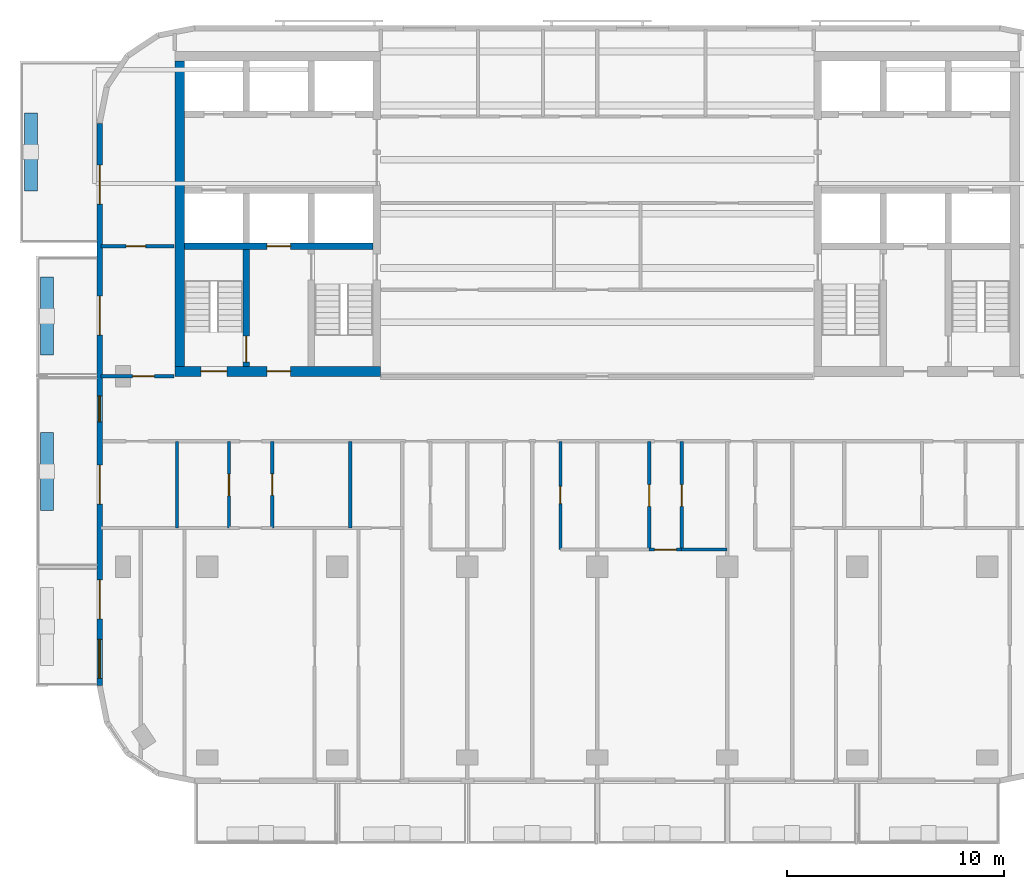
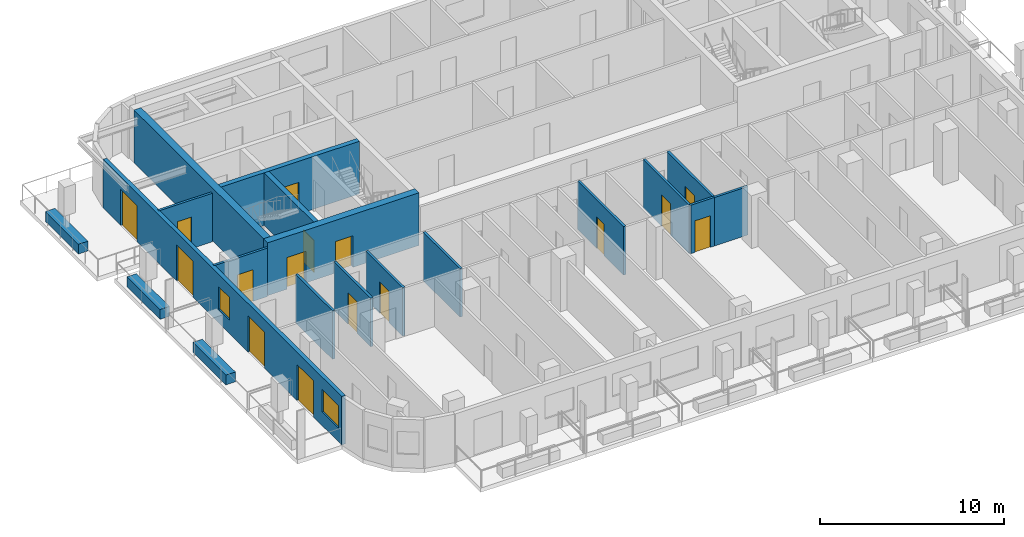
# One storey, part 3 of 11: 19 walls, 16 doors, 2 windows, 18 openings.
"""IFC4 building model written with IfcOpenShell, lengths in metres."""

from ifc_helpers import new_model, si_unit, direction, frame, frame_2d, origin, place, context, subcontext, project, spatial, rectangle, extrude, material, layer, layer_set, type_object, element, fill, save


model = new_model("IFC4")

# Units and contexts
model_context = context("Model", 3, precision=1e-05, world=origin(), true_north=direction((0.0, 1.0)))
body_context = subcontext(model_context, "Body", "Model", "MODEL_VIEW")
ifc_project = project(units=[si_unit("LENGTHUNIT", "METRE"), si_unit("AREAUNIT", "SQUARE_METRE"), si_unit("VOLUMEUNIT", "CUBIC_METRE"), si_unit("PLANEANGLEUNIT", "RADIAN"), si_unit("MASSUNIT", "GRAM", prefix="KILO")], contexts=[model_context])

# Site, building, storey
site_placement = place(None, origin())
site = spatial("IfcSite", under=ifc_project, at=site_placement, CompositionType="ELEMENT")
building_placement = place(site_placement, origin())
building = spatial("IfcBuilding", under=site, at=building_placement, Name="Torana Hotel and Residences", CompositionType="ELEMENT")
storey_placement = place(building_placement, frame((0.0, 0.0, 263.10009765625)))
storey = spatial("IfcBuildingStorey", under=building, at=storey_placement, Name="L69", CompositionType="ELEMENT", Elevation=263.10009765625)

# Wall, opening, door
ifc_material_1 = material(Name="Concrete C60/75", Category="concrete")
ifc_layer_1 = layer(ifc_material_1, 0.300048828125)
ifc_layer_set_1 = layer_set([ifc_layer_1], Name="CORE WALL 300 C60/75")
wall_type_1 = type_object("IfcWallType", Name="CORE WALL 300 C60/75", PredefinedType="SHEAR", material=ifc_layer_set_1)
wall_1_placement = place(storey_placement, frame((-19.050048828125, -9.0, 0.0), z_axis=(0.0, 0.0, 1.0), x_axis=(1.0, 0.0, 0.0)))
wall_1 = element("IfcWall", 1, at=wall_1_placement, inside=storey, type_object=wall_type_1, Name="Core wall W band", PredefinedType="SHEAR", context=body_context, shape_type="SweptSolid", body=[
    extrude(rectangle(XDim=8.699951171875, YDim=0.300048828125, at=frame_2d((4.35009765625, 0.0))), origin(), (0.0, 0.0, 1.0), 3.5),
])
opening_1_placement = place(wall_1_placement, frame((3.800048828125, 0.0, 0.0)))
opening_1 = element("IfcOpeningElement", 2, at=opening_1_placement, cuts=wall_1, Name="Opening LD", PredefinedType="OPENING", context=body_context, shape_type="SweptSolid", body=[
    extrude(rectangle(XDim=1.10009765625, YDim=2.10009765625, at=frame_2d((0.550048828125, 1.050048828125))), frame((0.0, 0.159912109375, 0.0), z_axis=(0.0, -1.0, 0.0), x_axis=(1.0, 0.0, 0.0)), (0.0, 0.0, 1.0), 0.320068359375),
])
ifc_material_2 = material(Name="Stainless steel 316", Category="steel")
door_type_1 = type_object("IfcDoorType", Name="LIFT LANDING DOOR LD 1100x2100", OperationType="DOUBLE_DOOR_SLIDING", PredefinedType="USERDEFINED", material=ifc_material_2)
door_1_placement = place(opening_1_placement, origin())
door_1 = element("IfcDoor", 3, at=door_1_placement, inside=storey, type_object=door_type_1, Name="Lift landing door FF1 L69", ObjectType="LIFT LANDING DOOR", OperationType="DOUBLE_DOOR_SLIDING", OverallHeight=2.10009765625, OverallWidth=1.10009765625, PredefinedType="USERDEFINED", context=body_context, shape_type="SweptSolid", body=[
    extrude(rectangle(XDim=1.10009765625, YDim=2.10009765625, at=frame_2d((0.550048828125, 1.050048828125))), frame((0.0, 0.02490234375, 0.0), z_axis=(0.0, -1.0, 0.0), x_axis=(1.0, 0.0, 0.0)), (0.0, 0.0, 1.0), 0.050048828125),
])
fill(opening_1, door_1)

wall_2_placement = place(storey_placement, frame((-16.199951171875, -14.550048828125, 0.0), z_axis=(0.0, 0.0, 1.0), x_axis=(0.0, 1.0, 0.0)))
wall_2 = element("IfcWall", 4, at=wall_2_placement, inside=storey, type_object=wall_type_1, Name="Core wall W x6.05-band", PredefinedType="SHEAR", context=body_context, shape_type="SweptSolid", body=[
    extrude(rectangle(XDim=5.400146484375, YDim=0.300048828125, at=frame_2d((2.7001953125, 0.0))), origin(), (0.0, 0.0, 1.0), 3.5),
])
opening_2_placement = place(wall_2_placement, frame((0.199951171875, 0.0, 0.0)))
opening_2 = element("IfcOpeningElement", 5, at=opening_2_placement, cuts=wall_2, Name="Opening L69-08", PredefinedType="OPENING", context=body_context, shape_type="SweptSolid", body=[
    extrude(rectangle(XDim=1.199951171875, YDim=2.10009765625, at=frame_2d((0.60009765625, 1.050048828125))), frame((0.0, 0.159912109375, 0.0), z_axis=(0.0, -1.0, 0.0), x_axis=(1.0, 0.0, 0.0)), (0.0, 0.0, 1.0), 0.320068359375),
])
ifc_material_3 = material(Name="Steel S235", Category="steel")
door_type_2 = type_object("IfcDoorType", Name="STAIR FIRE DOOR D3 1200x2100", OperationType="SINGLE_SWING_LEFT", PredefinedType="DOOR", material=ifc_material_3)
door_2_placement = place(opening_2_placement, origin())
door_2 = element("IfcDoor", 6, at=door_2_placement, inside=storey, type_object=door_type_2, Name="Stair-B-lobby door L69", OperationType="SINGLE_SWING_RIGHT", OverallHeight=2.10009765625, OverallWidth=1.199951171875, PredefinedType="DOOR", context=body_context, shape_type="SweptSolid", body=[
    extrude(rectangle(XDim=1.199951171875, YDim=2.10009765625, at=frame_2d((0.60009765625, 1.050048828125))), frame((0.0, 0.02490234375, 0.0), z_axis=(0.0, -1.0, 0.0), x_axis=(1.0, 0.0, 0.0)), (0.0, 0.0, 1.0), 0.050048828125),
])
fill(opening_2, door_2)

# Wall, openings, doors
ifc_material_4 = material(Name="Concrete C60/75", Category="concrete")
ifc_layer_2 = layer(ifc_material_4, 0.449951171875)
ifc_layer_set_2 = layer_set([ifc_layer_2], Name="CORE WALL 450 C60/75")
wall_type_2 = type_object("IfcWallType", Name="CORE WALL 450 C60/75", PredefinedType="SHEAR", material=ifc_layer_set_2)
wall_3_placement = place(storey_placement, frame((-19.5, -14.77490234375, 0.0), z_axis=(0.0, 0.0, 1.0), x_axis=(1.0, 0.0, 0.0)))
wall_3 = element("IfcWall", 7, at=wall_3_placement, inside=storey, type_object=wall_type_2, Name="Core wall W front", PredefinedType="SHEAR", context=body_context, shape_type="SweptSolid", body=[
    extrude(rectangle(XDim=9.5, YDim=0.449951171875, at=frame_2d((4.75, 0.0))), origin(), (0.0, 0.0, 1.0), 3.5),
])
opening_3_placement = place(wall_3_placement, frame((1.199951171875, 0.0, 0.0)))
opening_3 = element("IfcOpeningElement", 8, at=opening_3_placement, cuts=wall_3, Name="Opening L69-04", PredefinedType="OPENING", context=body_context, shape_type="SweptSolid", body=[
    extrude(rectangle(XDim=1.199951171875, YDim=2.10009765625, at=frame_2d((0.60009765625, 1.050048828125))), frame((0.0, 0.23486328125, 0.0), z_axis=(0.0, -1.0, 0.0), x_axis=(1.0, 0.0, 0.0)), (0.0, 0.0, 1.0), 0.469970703125),
])
opening_4_placement = place(wall_3_placement, frame((4.25, 0.0, 0.0)))
opening_4 = element("IfcOpeningElement", 9, at=opening_4_placement, cuts=wall_3, Name="Opening L69-05", PredefinedType="OPENING", context=body_context, shape_type="SweptSolid", body=[
    extrude(rectangle(XDim=1.10009765625, YDim=2.10009765625, at=frame_2d((0.550048828125, 1.050048828125))), frame((0.0, 0.23486328125, 0.0), z_axis=(0.0, -1.0, 0.0), x_axis=(1.0, 0.0, 0.0)), (0.0, 0.0, 1.0), 0.469970703125),
])
ifc_material_5 = material(Name="Steel S235", Category="steel")
door_type_3 = type_object("IfcDoorType", Name="FIRE-FIGHTING LOBBY DOOR D8 1100x2100", OperationType="SINGLE_SWING_LEFT", PredefinedType="DOOR", material=ifc_material_5)
door_3_placement = place(opening_4_placement, origin())
door_3 = element("IfcDoor", 10, at=door_3_placement, inside=storey, type_object=door_type_3, Name="FF-lobby door L69", OperationType="SINGLE_SWING_RIGHT", OverallHeight=2.10009765625, OverallWidth=1.10009765625, PredefinedType="DOOR", context=body_context, shape_type="SweptSolid", body=[
    extrude(rectangle(XDim=1.10009765625, YDim=2.10009765625, at=frame_2d((0.550048828125, 1.050048828125))), frame((0.0, 0.02490234375, 0.0), z_axis=(0.0, -1.0, 0.0), x_axis=(1.0, 0.0, 0.0)), (0.0, 0.0, 1.0), 0.050048828125),
])
fill(opening_4, door_3)
door_4_placement = place(opening_3_placement, origin())
door_4 = element("IfcDoor", 11, at=door_4_placement, inside=storey, type_object=door_type_2, Name="Stair-B door L69", OperationType="SINGLE_SWING_RIGHT", OverallHeight=2.10009765625, OverallWidth=1.199951171875, PredefinedType="DOOR", context=body_context, shape_type="SweptSolid", body=[
    extrude(rectangle(XDim=1.199951171875, YDim=2.10009765625, at=frame_2d((0.60009765625, 1.050048828125))), frame((0.0, 0.02490234375, 0.0), z_axis=(0.0, -1.0, 0.0), x_axis=(1.0, 0.0, 0.0)), (0.0, 0.0, 1.0), 0.050048828125),
])
fill(opening_3, door_4)

# Wall
wall_4_placement = place(storey_placement, frame((-19.27490234375, -14.550048828125, 0.0), z_axis=(0.0, 0.0, 1.0), x_axis=(0.0, 1.0, 0.0)))
element("IfcWall", 12, at=wall_4_placement, inside=storey, type_object=wall_type_2, Name="Core wall W outer", PredefinedType="SHEAR", context=body_context, shape_type="SweptSolid", body=[
    extrude(rectangle(XDim=14.10009765625, YDim=0.449951171875, at=frame_2d((7.050048828125, 0.0))), origin(), (0.0, 0.0, 1.0), 3.5),
])

# Wall, openings, doors, windows
ifc_material_6 = material(Name="Black aluminium composite panel", Category="aluminium")
ifc_layer_3 = layer(ifc_material_6, 0.00390625, Name="Cladding", Category="cladding")
ifc_material_7 = material(Name="Ventilated air cavity")
ifc_layer_4 = layer(ifc_material_7, 0.0400390625, Name="Ventilated cavity", Category="cavity")
ifc_material_8 = material(Name="Mineral wool insulation")
ifc_layer_5 = layer(ifc_material_8, 0.090087890625, Name="Insulation", Category="insulation")
ifc_material_9 = material(Name="Steel S280GD", Category="steel")
ifc_layer_6 = layer(ifc_material_9, 0.092041015625, Name="Steel stud frame", Category="structure")
ifc_material_10 = material(Name="Fire rated plasterboard")
ifc_layer_7 = layer(ifc_material_10, 0.011962890625, Name="Inner board", Category="finish")
ifc_layer_8 = layer(ifc_material_10, 0.011962890625, Name="Second board", Category="finish")
ifc_layer_set_3 = layer_set([ifc_layer_3, ifc_layer_4, ifc_layer_5, ifc_layer_6, ifc_layer_7, ifc_layer_8], Name="EW1 EXTERNAL WALL BLACK METAL CLAD 250")
wall_type_3 = type_object("IfcWallType", Name="EW1 EXTERNAL WALL BLACK METAL CLAD 250", PredefinedType="SOLIDWALL", material=ifc_layer_set_3)
wall_5_placement = place(storey_placement, frame((-22.97509765625, -3.32470703125, 0.0), z_axis=(0.0, 0.0, 1.0), x_axis=(0.0, -1.0, 0.0)))
wall_5 = element("IfcWall", 13, at=wall_5_placement, inside=storey, type_object=wall_type_3, Name="External wall L69 e0.9", PredefinedType="SOLIDWALL", context=body_context, shape_type="SweptSolid", body=[
    extrude(rectangle(XDim=25.95068359375, YDim=0.25, at=frame_2d((12.975341796875, 0.0))), origin(), (0.0, 0.0, 1.0), 3.219970703125),
])
opening_5_placement = place(wall_5_placement, frame((1.92529296875, 0.0, 0.0)))
opening_5 = element("IfcOpeningElement", 14, at=opening_5_placement, cuts=wall_5, Name="Opening L69-E11", PredefinedType="OPENING", context=body_context, shape_type="SweptSolid", body=[
    extrude(rectangle(XDim=1.800048828125, YDim=2.39990234375, at=frame_2d((0.89990234375, 1.199951171875))), frame((0.0, 0.135009765625, 0.0), z_axis=(0.0, -1.0, 0.0), x_axis=(1.0, 0.0, 0.0)), (0.0, 0.0, 1.0), 0.27001953125),
])
opening_6_placement = place(wall_5_placement, frame((7.975341796875, 0.0, 0.0)))
opening_6 = element("IfcOpeningElement", 15, at=opening_6_placement, cuts=wall_5, Name="Opening L69-E12", PredefinedType="OPENING", context=body_context, shape_type="SweptSolid", body=[
    extrude(rectangle(XDim=1.800048828125, YDim=2.39990234375, at=frame_2d((0.89990234375, 1.199951171875))), frame((0.0, 0.135009765625, 0.0), z_axis=(0.0, -1.0, 0.0), x_axis=(1.0, 0.0, 0.0)), (0.0, 0.0, 1.0), 0.27001953125),
])
opening_7_placement = place(wall_5_placement, frame((12.575439453125, 0.0, 0.89990234375)))
opening_7 = element("IfcOpeningElement", 16, at=opening_7_placement, cuts=wall_5, Name="Opening W5", PredefinedType="OPENING", context=body_context, shape_type="SweptSolid", body=[
    extrude(rectangle(XDim=1.199951171875, YDim=1.5, at=frame_2d((0.60009765625, 0.75))), frame((0.0, 0.135009765625, 0.0), z_axis=(0.0, -1.0, 0.0), x_axis=(1.0, 0.0, 0.0)), (0.0, 0.0, 1.0), 0.27001953125),
])
opening_8_placement = place(wall_5_placement, frame((15.775390625, 0.0, 0.0)))
opening_8 = element("IfcOpeningElement", 17, at=opening_8_placement, cuts=wall_5, Name="Opening L69-E13", PredefinedType="OPENING", context=body_context, shape_type="SweptSolid", body=[
    extrude(rectangle(XDim=1.800048828125, YDim=2.39990234375, at=frame_2d((0.89990234375, 1.199951171875))), frame((0.0, 0.135009765625, 0.0), z_axis=(0.0, -1.0, 0.0), x_axis=(1.0, 0.0, 0.0)), (0.0, 0.0, 1.0), 0.27001953125),
])
opening_9_placement = place(wall_5_placement, frame((21.075439453125, 0.0, 0.0)))
opening_9 = element("IfcOpeningElement", 18, at=opening_9_placement, cuts=wall_5, Name="Opening L69-E14", PredefinedType="OPENING", context=body_context, shape_type="SweptSolid", body=[
    extrude(rectangle(XDim=1.800048828125, YDim=2.39990234375, at=frame_2d((0.89990234375, 1.199951171875))), frame((0.0, 0.135009765625, 0.0), z_axis=(0.0, -1.0, 0.0), x_axis=(1.0, 0.0, 0.0)), (0.0, 0.0, 1.0), 0.27001953125),
])
opening_10_placement = place(wall_5_placement, frame((23.825439453125, 0.0, 0.89990234375)))
opening_10 = element("IfcOpeningElement", 19, at=opening_10_placement, cuts=wall_5, Name="Opening W4", PredefinedType="OPENING", context=body_context, shape_type="SweptSolid", body=[
    extrude(rectangle(XDim=1.800048828125, YDim=1.5, at=frame_2d((0.89990234375, 0.75))), frame((0.0, 0.135009765625, 0.0), z_axis=(0.0, -1.0, 0.0), x_axis=(1.0, 0.0, 0.0)), (0.0, 0.0, 1.0), 0.27001953125),
])
ifc_material_11 = material(Name="Dark glass in black aluminium frame", Category="aluminium")
door_type_4 = type_object("IfcDoorType", Name="DB1 BALCONY DOOR 1800x2400", OperationType="DOUBLE_DOOR_SINGLE_SWING", PredefinedType="DOOR", material=ifc_material_11)
door_5_placement = place(opening_5_placement, origin())
door_5 = element("IfcDoor", 20, at=door_5_placement, inside=storey, type_object=door_type_4, Name="Balcony door L69", OperationType="DOUBLE_DOOR_SINGLE_SWING", OverallHeight=2.39990234375, OverallWidth=1.800048828125, PredefinedType="DOOR", context=body_context, shape_type="SweptSolid", body=[
    extrude(rectangle(XDim=1.800048828125, YDim=2.39990234375, at=frame_2d((0.89990234375, 1.199951171875))), frame((0.0, 0.02490234375, 0.0), z_axis=(0.0, -1.0, 0.0), x_axis=(1.0, 0.0, 0.0)), (0.0, 0.0, 1.0), 0.050048828125),
])
fill(opening_5, door_5)
door_6_placement = place(opening_6_placement, origin())
door_6 = element("IfcDoor", 21, at=door_6_placement, inside=storey, type_object=door_type_4, Name="Balcony door L69", OperationType="DOUBLE_DOOR_SINGLE_SWING", OverallHeight=2.39990234375, OverallWidth=1.800048828125, PredefinedType="DOOR", context=body_context, shape_type="SweptSolid", body=[
    extrude(rectangle(XDim=1.800048828125, YDim=2.39990234375, at=frame_2d((0.89990234375, 1.199951171875))), frame((0.0, 0.02490234375, 0.0), z_axis=(0.0, -1.0, 0.0), x_axis=(1.0, 0.0, 0.0)), (0.0, 0.0, 1.0), 0.050048828125),
])
fill(opening_6, door_6)
door_7_placement = place(opening_8_placement, origin())
door_7 = element("IfcDoor", 22, at=door_7_placement, inside=storey, type_object=door_type_4, Name="Balcony door L69", OperationType="DOUBLE_DOOR_SINGLE_SWING", OverallHeight=2.39990234375, OverallWidth=1.800048828125, PredefinedType="DOOR", context=body_context, shape_type="SweptSolid", body=[
    extrude(rectangle(XDim=1.800048828125, YDim=2.39990234375, at=frame_2d((0.89990234375, 1.199951171875))), frame((0.0, 0.02490234375, 0.0), z_axis=(0.0, -1.0, 0.0), x_axis=(1.0, 0.0, 0.0)), (0.0, 0.0, 1.0), 0.050048828125),
])
fill(opening_8, door_7)
door_8_placement = place(opening_9_placement, origin())
door_8 = element("IfcDoor", 23, at=door_8_placement, inside=storey, type_object=door_type_4, Name="Balcony door L69", OperationType="DOUBLE_DOOR_SINGLE_SWING", OverallHeight=2.39990234375, OverallWidth=1.800048828125, PredefinedType="DOOR", context=body_context, shape_type="SweptSolid", body=[
    extrude(rectangle(XDim=1.800048828125, YDim=2.39990234375, at=frame_2d((0.89990234375, 1.199951171875))), frame((0.0, 0.02490234375, 0.0), z_axis=(0.0, -1.0, 0.0), x_axis=(1.0, 0.0, 0.0)), (0.0, 0.0, 1.0), 0.050048828125),
])
fill(opening_9, door_8)
ifc_material_12 = material(Name="Dark glass in black aluminium frame", Category="aluminium")
window_type_1 = type_object("IfcWindowType", Name="W4 RESIDENCE WINDOW NARROW 1800x1500", PartitioningType="SINGLE_PANEL", PredefinedType="WINDOW", material=ifc_material_12)
window_1_placement = place(opening_10_placement, origin())
window_1 = element("IfcWindow", 24, at=window_1_placement, inside=storey, type_object=window_type_1, Name="Window L69", OverallHeight=1.5, OverallWidth=1.800048828125, PartitioningType="SINGLE_PANEL", PredefinedType="WINDOW", context=body_context, shape_type="SweptSolid", body=[
    extrude(rectangle(XDim=1.800048828125, YDim=1.5, at=frame_2d((0.89990234375, 0.75))), frame((0.0, 0.030029296875, 0.0), z_axis=(0.0, -1.0, 0.0), x_axis=(1.0, 0.0, 0.0)), (0.0, 0.0, 1.0), 0.06005859375),
])
fill(opening_10, window_1)
ifc_material_13 = material(Name="Dark glass in black aluminium frame", Category="aluminium")
window_type_2 = type_object("IfcWindowType", Name="W5 CORNER FACET WINDOW 1200x1500", PartitioningType="SINGLE_PANEL", PredefinedType="WINDOW", material=ifc_material_13)
window_2_placement = place(opening_7_placement, origin())
window_2 = element("IfcWindow", 25, at=window_2_placement, inside=storey, type_object=window_type_2, Name="Window L69", OverallHeight=1.5, OverallWidth=1.199951171875, PartitioningType="SINGLE_PANEL", PredefinedType="WINDOW", context=body_context, shape_type="SweptSolid", body=[
    extrude(rectangle(XDim=1.199951171875, YDim=1.5, at=frame_2d((0.60009765625, 0.75))), frame((0.0, 0.030029296875, 0.0), z_axis=(0.0, -1.0, 0.0), x_axis=(1.0, 0.0, 0.0)), (0.0, 0.0, 1.0), 0.06005859375),
])
fill(opening_7, window_2)

# Wall, opening, door
ifc_material_14 = material(Name="Gypsum plaster")
ifc_layer_9 = layer(ifc_material_14, 0.014892578125, Name="Plaster", Category="finish")
ifc_material_15 = material(Name="Concrete blockwork", Category="masonry")
ifc_layer_10 = layer(ifc_material_15, 0.1201171875, Name="Blockwork", Category="structure")
ifc_layer_11 = layer(ifc_material_14, 0.014892578125, Name="Plaster", Category="finish")
ifc_layer_set_4 = layer_set([ifc_layer_9, ifc_layer_10, ifc_layer_11], Name="FIRE PARTITION 150 BLOCKWORK")
wall_type_4 = type_object("IfcWallType", Name="FIRE PARTITION 150 BLOCKWORK", PredefinedType="PARTITIONING", material=ifc_layer_set_4)
wall_6_placement = place(storey_placement, frame((3.89990234375, -23.0, 0.0), z_axis=(0.0, 0.0, 1.0), x_axis=(0.0, 1.0, 0.0)))
wall_6 = element("IfcWall", 26, at=wall_6_placement, inside=storey, type_object=wall_type_4, Name="Partition L69", PredefinedType="PARTITIONING", context=body_context, shape_type="SweptSolid", body=[
    extrude(rectangle(XDim=5.0, YDim=0.14990234375, at=frame_2d((2.5, 0.0))), origin(), (0.0, 0.0, 1.0), 3.219970703125),
])
opening_11_placement = place(wall_6_placement, frame((2.0, 0.0, 0.0)))
opening_11 = element("IfcOpeningElement", 27, at=opening_11_placement, cuts=wall_6, Name="Opening L69-42", PredefinedType="OPENING", context=body_context, shape_type="SweptSolid", body=[
    extrude(rectangle(XDim=1.0, YDim=2.10009765625, at=frame_2d((0.5, 1.050048828125))), frame((0.0, 0.0849609375, 0.0), z_axis=(0.0, -1.0, 0.0), x_axis=(1.0, 0.0, 0.0)), (0.0, 0.0, 1.0), 0.169921875),
])
ifc_material_16 = material(Name="Steel S235", Category="steel")
door_type_5 = type_object("IfcDoorType", Name="ENTRY FIRE DOOR D6 1000x2100", OperationType="SINGLE_SWING_LEFT", PredefinedType="DOOR", material=ifc_material_16)
door_9_placement = place(opening_11_placement, frame((0.5, 0.0, 0.0), z_axis=(0.0, 0.0, 1.0), x_axis=(-1.0, 0.0, 0.0)))
door_9 = element("IfcDoor", 28, at=door_9_placement, inside=storey, type_object=door_type_5, Name="Door L69", OperationType="SINGLE_SWING_LEFT", OverallHeight=2.10009765625, OverallWidth=1.0, PredefinedType="DOOR", context=body_context, shape_type="SweptSolid", body=[
    extrude(rectangle(XDim=1.0, YDim=2.10009765625, at=frame_2d((0.0, 1.050048828125))), frame((0.0, -0.02490234375, 0.0), z_axis=(0.0, 1.0, 0.0), x_axis=(-1.0, 0.0, 0.0)), (0.0, 0.0, 1.0), 0.050048828125),
])
fill(opening_11, door_9)

wall_7_placement = place(storey_placement, frame((2.39990234375, -23.0, 0.0), z_axis=(0.0, 0.0, 1.0), x_axis=(0.0, 1.0, 0.0)))
wall_7 = element("IfcWall", 29, at=wall_7_placement, inside=storey, type_object=wall_type_4, Name="Partition L69", PredefinedType="PARTITIONING", context=body_context, shape_type="SweptSolid", body=[
    extrude(rectangle(XDim=5.0, YDim=0.14990234375, at=frame_2d((2.5, 0.0))), origin(), (0.0, 0.0, 1.0), 3.219970703125),
])
opening_12_placement = place(wall_7_placement, frame((2.0, 0.0, 0.0)))
opening_12 = element("IfcOpeningElement", 30, at=opening_12_placement, cuts=wall_7, Name="Opening L69-41", PredefinedType="OPENING", context=body_context, shape_type="SweptSolid", body=[
    extrude(rectangle(XDim=1.0, YDim=2.10009765625, at=frame_2d((0.5, 1.050048828125))), frame((0.0, 0.0849609375, 0.0), z_axis=(0.0, -1.0, 0.0), x_axis=(1.0, 0.0, 0.0)), (0.0, 0.0, 1.0), 0.169921875),
])
door_10_placement = place(opening_12_placement, origin())
door_10 = element("IfcDoor", 31, at=door_10_placement, inside=storey, type_object=door_type_5, Name="Door L69", OperationType="SINGLE_SWING_RIGHT", OverallHeight=2.10009765625, OverallWidth=1.0, PredefinedType="DOOR", context=body_context, shape_type="SweptSolid", body=[
    extrude(rectangle(XDim=1.0, YDim=2.10009765625, at=frame_2d((0.5, 1.050048828125))), frame((0.0, 0.02490234375, 0.0), z_axis=(0.0, -1.0, 0.0), x_axis=(1.0, 0.0, 0.0)), (0.0, 0.0, 1.0), 0.050048828125),
])
fill(opening_12, door_10)

wall_8_placement = place(storey_placement, frame((-15.0, -22.0, 0.0), z_axis=(0.0, 0.0, 1.0), x_axis=(0.0, 1.0, 0.0)))
wall_8 = element("IfcWall", 32, at=wall_8_placement, inside=storey, type_object=wall_type_4, Name="Partition L69", PredefinedType="PARTITIONING", context=body_context, shape_type="SweptSolid", body=[
    extrude(rectangle(XDim=4.0, YDim=0.14990234375, at=frame_2d((2.0, 0.0))), origin(), (0.0, 0.0, 1.0), 3.219970703125),
])
opening_13_placement = place(wall_8_placement, frame((1.5, 0.0, 0.0)))
opening_13 = element("IfcOpeningElement", 33, at=opening_13_placement, cuts=wall_8, Name="Opening L69-46", PredefinedType="OPENING", context=body_context, shape_type="SweptSolid", body=[
    extrude(rectangle(XDim=1.0, YDim=2.10009765625, at=frame_2d((0.5, 1.050048828125))), frame((0.0, 0.0849609375, 0.0), z_axis=(0.0, -1.0, 0.0), x_axis=(1.0, 0.0, 0.0)), (0.0, 0.0, 1.0), 0.169921875),
])
door_11_placement = place(opening_13_placement, frame((0.5, 0.0, 0.0), z_axis=(0.0, 0.0, 1.0), x_axis=(-1.0, 0.0, 0.0)))
door_11 = element("IfcDoor", 34, at=door_11_placement, inside=storey, type_object=door_type_5, Name="Door L69", OperationType="SINGLE_SWING_LEFT", OverallHeight=2.10009765625, OverallWidth=1.0, PredefinedType="DOOR", context=body_context, shape_type="SweptSolid", body=[
    extrude(rectangle(XDim=1.0, YDim=2.10009765625, at=frame_2d((0.0, 1.050048828125))), frame((0.0, -0.02490234375, 0.0), z_axis=(0.0, 1.0, 0.0), x_axis=(-1.0, 0.0, 0.0)), (0.0, 0.0, 1.0), 0.050048828125),
])
fill(opening_13, door_11)

wall_9_placement = place(storey_placement, frame((-17.0, -22.0, 0.0), z_axis=(0.0, 0.0, 1.0), x_axis=(0.0, 1.0, 0.0)))
wall_9 = element("IfcWall", 35, at=wall_9_placement, inside=storey, type_object=wall_type_4, Name="Partition L69", PredefinedType="PARTITIONING", context=body_context, shape_type="SweptSolid", body=[
    extrude(rectangle(XDim=4.0, YDim=0.14990234375, at=frame_2d((2.0, 0.0))), origin(), (0.0, 0.0, 1.0), 3.219970703125),
])
opening_14_placement = place(wall_9_placement, frame((1.47998046875, 0.0, 0.0)))
opening_14 = element("IfcOpeningElement", 36, at=opening_14_placement, cuts=wall_9, Name="Opening L69-47", PredefinedType="OPENING", context=body_context, shape_type="SweptSolid", body=[
    extrude(rectangle(XDim=1.0, YDim=2.10009765625, at=frame_2d((0.5, 1.050048828125))), frame((0.0, 0.0849609375, 0.0), z_axis=(0.0, -1.0, 0.0), x_axis=(1.0, 0.0, 0.0)), (0.0, 0.0, 1.0), 0.169921875),
])
door_12_placement = place(opening_14_placement, origin())
door_12 = element("IfcDoor", 37, at=door_12_placement, inside=storey, type_object=door_type_5, Name="Door L69", OperationType="SINGLE_SWING_RIGHT", OverallHeight=2.10009765625, OverallWidth=1.0, PredefinedType="DOOR", context=body_context, shape_type="SweptSolid", body=[
    extrude(rectangle(XDim=1.0, YDim=2.10009765625, at=frame_2d((0.5, 1.050048828125))), frame((0.0, 0.02490234375, 0.0), z_axis=(0.0, -1.0, 0.0), x_axis=(1.0, 0.0, 0.0)), (0.0, 0.0, 1.0), 0.050048828125),
])
fill(opening_14, door_12)

wall_10_placement = place(storey_placement, frame((2.39990234375, -23.0, 0.0), z_axis=(0.0, 0.0, 1.0), x_axis=(1.0, 0.0, 0.0)))
wall_10 = element("IfcWall", 38, at=wall_10_placement, inside=storey, type_object=wall_type_4, Name="Partition L69", PredefinedType="PARTITIONING", context=body_context, shape_type="SweptSolid", body=[
    extrude(rectangle(XDim=1.5, YDim=0.14990234375, at=frame_2d((0.75, 0.0))), origin(), (0.0, 0.0, 1.0), 3.219970703125),
])
opening_15_placement = place(wall_10_placement, frame((0.25, 0.0, 0.0)))
opening_15 = element("IfcOpeningElement", 39, at=opening_15_placement, cuts=wall_10, Name="Opening L69-43", PredefinedType="OPENING", context=body_context, shape_type="SweptSolid", body=[
    extrude(rectangle(XDim=1.0, YDim=2.10009765625, at=frame_2d((0.5, 1.050048828125))), frame((0.0, 0.0849609375, 0.0), z_axis=(0.0, -1.0, 0.0), x_axis=(1.0, 0.0, 0.0)), (0.0, 0.0, 1.0), 0.169921875),
])
door_13_placement = place(opening_15_placement, frame((0.5, 0.0, 0.0), z_axis=(0.0, 0.0, 1.0), x_axis=(-1.0, 0.0, 0.0)))
door_13 = element("IfcDoor", 40, at=door_13_placement, inside=storey, type_object=door_type_5, Name="Door L69", OperationType="SINGLE_SWING_LEFT", OverallHeight=2.10009765625, OverallWidth=1.0, PredefinedType="DOOR", context=body_context, shape_type="SweptSolid", body=[
    extrude(rectangle(XDim=1.0, YDim=2.10009765625, at=frame_2d((0.0, 1.050048828125))), frame((0.0, -0.02490234375, 0.0), z_axis=(0.0, 1.0, 0.0), x_axis=(-1.0, 0.0, 0.0)), (0.0, 0.0, 1.0), 0.050048828125),
])
fill(opening_15, door_13)

wall_11_placement = place(storey_placement, frame((-22.919921875, -15.0, 0.0), z_axis=(0.0, 0.0, 1.0), x_axis=(1.0, 0.0, 0.0)))
wall_11 = element("IfcWall", 41, at=wall_11_placement, inside=storey, type_object=wall_type_4, Name="Partition L69", PredefinedType="PARTITIONING", context=body_context, shape_type="SweptSolid", body=[
    extrude(rectangle(XDim=3.369873046875, YDim=0.14990234375, at=frame_2d((1.68505859375, 0.0))), origin(), (0.0, 0.0, 1.0), 3.219970703125),
])
opening_16_placement = place(wall_11_placement, frame((1.469970703125, 0.0, 0.0)))
opening_16 = element("IfcOpeningElement", 42, at=opening_16_placement, cuts=wall_11, Name="Opening L69-27", PredefinedType="OPENING", context=body_context, shape_type="SweptSolid", body=[
    extrude(rectangle(XDim=1.0, YDim=2.10009765625, at=frame_2d((0.5, 1.050048828125))), frame((0.0, 0.0849609375, 0.0), z_axis=(0.0, -1.0, 0.0), x_axis=(1.0, 0.0, 0.0)), (0.0, 0.0, 1.0), 0.169921875),
])
ifc_material_17 = material(Name="Steel S235", Category="steel")
door_type_6 = type_object("IfcDoorType", Name="CORE ROOM FIRE DOOR D14 1000x2100", OperationType="SINGLE_SWING_LEFT", PredefinedType="DOOR", material=ifc_material_17)
door_14_placement = place(opening_16_placement, origin())
door_14 = element("IfcDoor", 43, at=door_14_placement, inside=storey, type_object=door_type_6, Name="Door L69", OperationType="SINGLE_SWING_RIGHT", OverallHeight=2.10009765625, OverallWidth=1.0, PredefinedType="DOOR", context=body_context, shape_type="SweptSolid", body=[
    extrude(rectangle(XDim=1.0, YDim=2.10009765625, at=frame_2d((0.5, 1.050048828125))), frame((0.0, 0.02490234375, 0.0), z_axis=(0.0, -1.0, 0.0), x_axis=(1.0, 0.0, 0.0)), (0.0, 0.0, 1.0), 0.050048828125),
])
fill(opening_16, door_14)

ifc_material_18 = material(Name="Gypsum plasterboard")
ifc_layer_12 = layer(ifc_material_18, 0.012451171875, Name="Plasterboard", Category="finish")
ifc_layer_13 = layer(ifc_material_18, 0.012451171875, Name="Plasterboard", Category="finish")
ifc_layer_14 = layer(ifc_material_9, 0.10009765625, Name="Steel studs with mineral wool", Category="insulation")
ifc_layer_15 = layer(ifc_material_18, 0.012451171875, Name="Plasterboard", Category="finish")
ifc_layer_16 = layer(ifc_material_18, 0.012451171875, Name="Plasterboard", Category="finish")
ifc_layer_set_5 = layer_set([ifc_layer_12, ifc_layer_13, ifc_layer_14, ifc_layer_15, ifc_layer_16], Name="PARTITION 150 PLASTERBOARD")
wall_type_5 = type_object("IfcWallType", Name="PARTITION 150 PLASTERBOARD", PredefinedType="PARTITIONING", material=ifc_layer_set_5)
wall_12_placement = place(storey_placement, frame((-1.699951171875, -23.0, 0.0), z_axis=(0.0, 0.0, 1.0), x_axis=(0.0, 1.0, 0.0)))
wall_12 = element("IfcWall", 44, at=wall_12_placement, inside=storey, type_object=wall_type_5, Name="Partition L69", PredefinedType="PARTITIONING", context=body_context, shape_type="SweptSolid", body=[
    extrude(rectangle(XDim=5.0, YDim=0.14990234375, at=frame_2d((2.5, 0.0))), origin(), (0.0, 0.0, 1.0), 3.219970703125),
])
opening_17_placement = place(wall_12_placement, frame((2.1201171875, 0.0, 0.0)))
opening_17 = element("IfcOpeningElement", 45, at=opening_17_placement, cuts=wall_12, Name="Opening L69-40", PredefinedType="OPENING", context=body_context, shape_type="SweptSolid", body=[
    extrude(rectangle(XDim=0.800048828125, YDim=2.10009765625, at=frame_2d((0.39990234375, 1.050048828125))), frame((0.0, 0.0849609375, 0.0), z_axis=(0.0, -1.0, 0.0), x_axis=(1.0, 0.0, 0.0)), (0.0, 0.0, 1.0), 0.169921875),
])
ifc_material_19 = material(Name="Timber door, painted", Category="wood")
door_type_7 = type_object("IfcDoorType", Name="BATH DOOR D13 800x2100", OperationType="SINGLE_SWING_LEFT", PredefinedType="DOOR", material=ifc_material_19)
door_15_placement = place(opening_17_placement, origin())
door_15 = element("IfcDoor", 46, at=door_15_placement, inside=storey, type_object=door_type_7, Name="Door L69", OperationType="SINGLE_SWING_RIGHT", OverallHeight=2.10009765625, OverallWidth=0.800048828125, PredefinedType="DOOR", context=body_context, shape_type="SweptSolid", body=[
    extrude(rectangle(XDim=0.800048828125, YDim=2.10009765625, at=frame_2d((0.39990234375, 1.050048828125))), frame((0.0, 0.02490234375, 0.0), z_axis=(0.0, -1.0, 0.0), x_axis=(1.0, 0.0, 0.0)), (0.0, 0.0, 1.0), 0.050048828125),
])
fill(opening_17, door_15)

# Walls
for number, where, z_axis, x_axis, name in (
    (47, (-11.39990234375, -22.0, 0.0), (0.0, 0.0, 1.0), (0.0, 1.0, 0.0), "Partition L69"),
    (48, (-19.39990234375, -22.0, 0.0), (0.0, 0.0, 1.0), (0.0, 1.0, 0.0), "Partition L69"),
):
    element("IfcWall", number, at=place(storey_placement, frame(where, z_axis=z_axis, x_axis=x_axis)), inside=storey, type_object=wall_type_5, Name=name, PredefinedType="PARTITIONING", context=body_context, shape_type="SweptSolid", body=[
        extrude(rectangle(XDim=4.0, YDim=0.14990234375, at=frame_2d((2.0, 0.0))), origin(), (0.0, 0.0, 1.0), 3.219970703125),
    ])
wall_13_placement = place(storey_placement, frame((3.89990234375, -23.0, 0.0), z_axis=(0.0, 0.0, 1.0), x_axis=(1.0, 0.0, 0.0)))
element("IfcWall", 49, at=wall_13_placement, inside=storey, type_object=wall_type_5, Name="Partition L69", PredefinedType="PARTITIONING", context=body_context, shape_type="SweptSolid", body=[
    extrude(rectangle(XDim=2.10009765625, YDim=0.14990234375, at=frame_2d((1.050048828125, 0.0))), origin(), (0.0, 0.0, 1.0), 3.219970703125),
])

# Wall, opening, door
wall_14_placement = place(storey_placement, frame((-22.919921875, -9.0, 0.0), z_axis=(0.0, 0.0, 1.0), x_axis=(1.0, 0.0, 0.0)))
wall_14 = element("IfcWall", 50, at=wall_14_placement, inside=storey, type_object=wall_type_5, Name="Partition L69", PredefinedType="PARTITIONING", context=body_context, shape_type="SweptSolid", body=[
    extrude(rectangle(XDim=3.369873046875, YDim=0.14990234375, at=frame_2d((1.68505859375, 0.0))), origin(), (0.0, 0.0, 1.0), 3.219970703125),
])
opening_18_placement = place(wall_14_placement, frame((1.169921875, 0.0, 0.0)))
opening_18 = element("IfcOpeningElement", 51, at=opening_18_placement, cuts=wall_14, Name="Opening L69-61", PredefinedType="OPENING", context=body_context, shape_type="SweptSolid", body=[
    extrude(rectangle(XDim=0.89990234375, YDim=2.10009765625, at=frame_2d((0.449951171875, 1.050048828125))), frame((0.0, 0.0849609375, 0.0), z_axis=(0.0, -1.0, 0.0), x_axis=(1.0, 0.0, 0.0)), (0.0, 0.0, 1.0), 0.169921875),
])
ifc_material_20 = material(Name="Timber door, oiled ash", Category="wood")
door_type_8 = type_object("IfcDoorType", Name="ROOM DOOR D7 900x2100", OperationType="SINGLE_SWING_LEFT", PredefinedType="DOOR", material=ifc_material_20)
door_16_placement = place(opening_18_placement, origin())
door_16 = element("IfcDoor", 52, at=door_16_placement, inside=storey, type_object=door_type_8, Name="Door L69", OperationType="SINGLE_SWING_RIGHT", OverallHeight=2.10009765625, OverallWidth=0.89990234375, PredefinedType="DOOR", context=body_context, shape_type="SweptSolid", body=[
    extrude(rectangle(XDim=0.89990234375, YDim=2.10009765625, at=frame_2d((0.449951171875, 1.050048828125))), frame((0.0, 0.02490234375, 0.0), z_axis=(0.0, -1.0, 0.0), x_axis=(1.0, 0.0, 0.0)), (0.0, 0.0, 1.0), 0.050048828125),
])
fill(opening_18, door_16)

# Walls
ifc_material_21 = material(Name="Concrete C40/50 precast", Category="concrete")
ifc_layer_17 = layer(ifc_material_21, 0.10009765625, Name="Planter shell", Category="structure")
ifc_material_22 = material(Name="Root resistant membrane")
ifc_layer_18 = layer(ifc_material_22, 0.00390625, Name="Waterproofing membrane", Category="membrane")
ifc_material_23 = material(Name="Drainage board with filter fleece")
ifc_layer_19 = layer(ifc_material_23, 0.02001953125, Name="Drainage board", Category="drainage")
ifc_material_24 = material(Name="Growing medium")
ifc_layer_20 = layer(ifc_material_24, 0.47607421875, Name="Planting substrate", Category="soil")
ifc_layer_set_6 = layer_set([ifc_layer_17, ifc_layer_18, ifc_layer_19, ifc_layer_20], Name="PL1 BALCONY PLANTER 600")
wall_type_6 = type_object("IfcWallType", Name="PL1 BALCONY PLANTER 600", PredefinedType="USERDEFINED", material=ifc_layer_set_6)
for number, where, z_axis, x_axis, name in (
    (53, (-25.39990234375, -21.199951171875, 0.0), (0.0, 0.0, 1.0), (0.0, 1.0, 0.0), "Planter 08"),
    (54, (-25.39990234375, -14.02490234375, 0.0), (0.0, 0.0, 1.0), (0.0, 1.0, 0.0), "Planter 09"),
    (55, (-26.14990234375, -6.449951171875, 0.0), (0.0, 0.0, 1.0), (0.0, 1.0, 0.0), "Planter 10"),
):
    element("IfcWall", number, at=place(storey_placement, frame(where, z_axis=z_axis, x_axis=x_axis)), inside=storey, type_object=wall_type_6, Name=name, ObjectType="PLANTER", PredefinedType="USERDEFINED", context=body_context, shape_type="SweptSolid", body=[
        extrude(rectangle(XDim=3.599853515625, YDim=0.60009765625, at=frame_2d((1.7998046875, 0.0))), origin(), (0.0, 0.0, 1.0), 0.64990234375),
    ])

save(model, "model.ifc")
